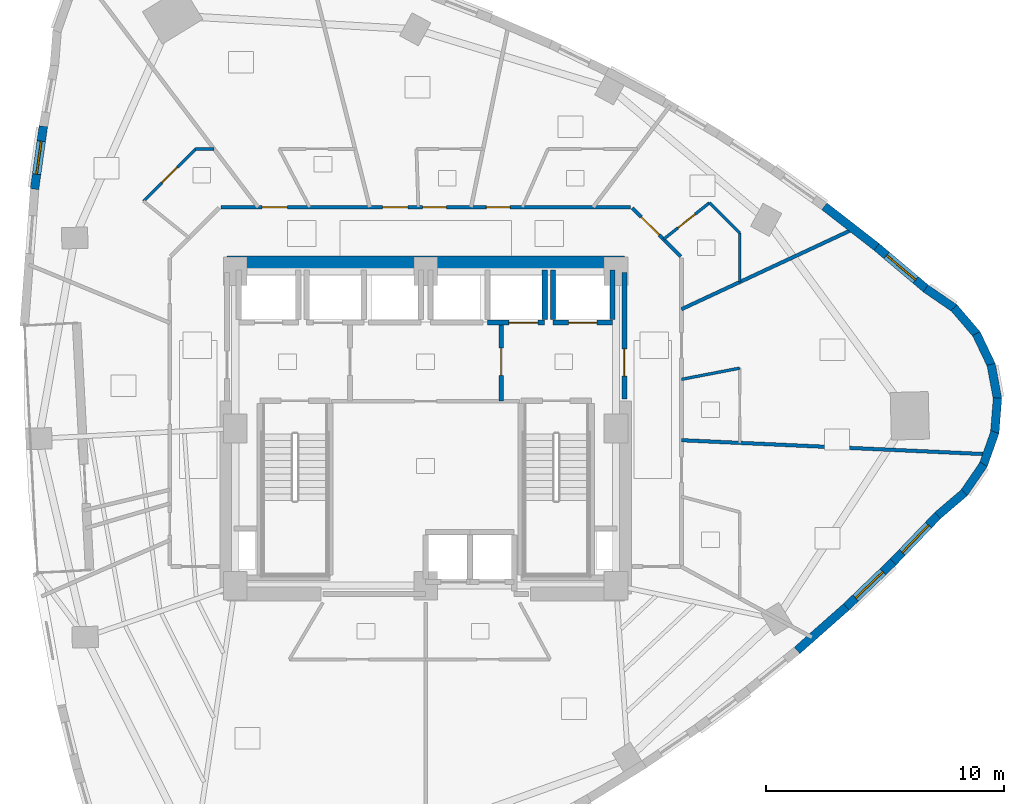
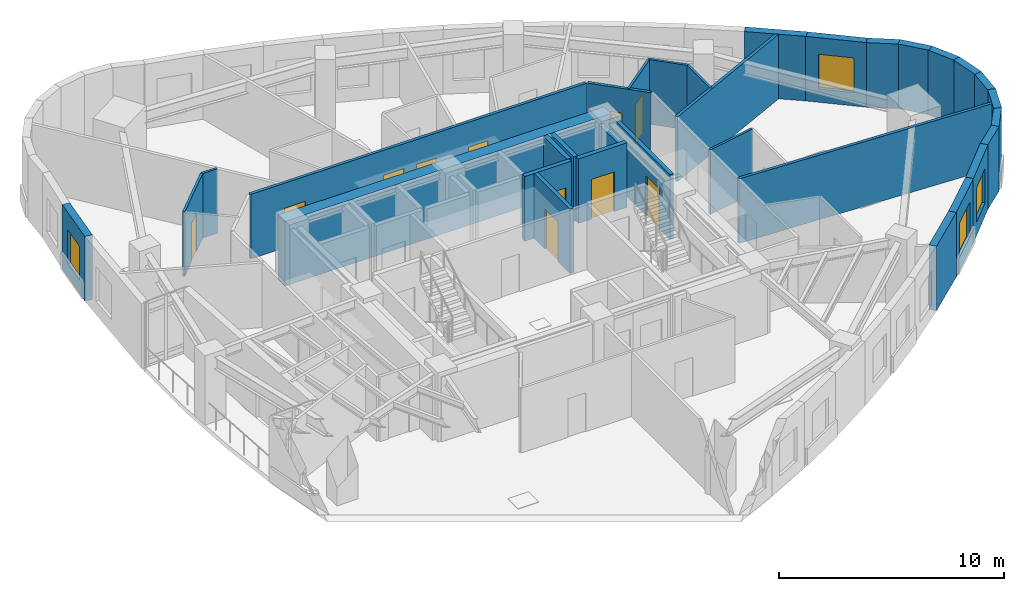
# One storey, part 7 of 12: 32 walls, 11 doors, 4 windows, 15 openings.
"""IFC4 building model written with IfcOpenShell, lengths in metres."""

from ifc_helpers import new_model, si_unit, direction, frame, frame_2d, origin, place, context, subcontext, project, spatial, rectangle, extrude, material, layer, layer_set, type_object, element, fill, save


model = new_model("IFC4")

# Units and contexts
model_context = context("Model", 3, precision=1e-05, world=origin(), true_north=direction((0.0, 1.0)))
body_context = subcontext(model_context, "Body", "Model", "MODEL_VIEW")
ifc_project = project(units=[si_unit("LENGTHUNIT", "METRE"), si_unit("AREAUNIT", "SQUARE_METRE"), si_unit("VOLUMEUNIT", "CUBIC_METRE"), si_unit("PLANEANGLEUNIT", "RADIAN"), si_unit("MASSUNIT", "GRAM", prefix="KILO")], contexts=[model_context])

# Site, building, storey
site_placement = place(None, origin())
site = spatial("IfcSite", under=ifc_project, at=site_placement, CompositionType="ELEMENT")
building_placement = place(site_placement, origin())
building = spatial("IfcBuilding", under=site, at=building_placement, Name="Ndelora Gate Hotel", CompositionType="ELEMENT")
storey_placement = place(building_placement, frame((0.0, 0.0, 131.0)))
storey = spatial("IfcBuildingStorey", under=building, at=storey_placement, Name="L32", CompositionType="ELEMENT", Elevation=131.0)

# Wall, opening, window
ifc_material_1 = material(Name="Clay Brick Masonry", Category="masonry")
ifc_layer_1 = layer(ifc_material_1, 0.360107421875)
ifc_layer_set_1 = layer_set([ifc_layer_1], Name="Clay Brick Masonry")
wall_type_1 = type_object("IfcWallType", Name="WL-BRICK-360", PredefinedType="SOLIDWALL", material=ifc_layer_set_1)
wall_1_placement = place(storey_placement, frame((-16.43603515625, 10.05908203125, 0.0), z_axis=(0.0, 0.0, 1.0), x_axis=(0.138719592598, 0.990331699296, 0.0)))
wall_1 = element("IfcWall", 1, at=wall_1_placement, inside=storey, type_object=wall_type_1, Name="L32 Tower Brick Pier-and-Spandrel Wall TWR-10", PredefinedType="SOLIDWALL", context=body_context, shape_type="SweptSolid", body=[
    extrude(rectangle(XDim=2.669921875, YDim=0.360107421875, at=frame_2d((1.3349609375, 0.0))), origin(), (0.0, 0.0, 1.0), 3.5),
])
opening_1_placement = place(wall_1_placement, frame((0.635009765625, 0.0, 0.719970703125)))
opening_1 = element("IfcOpeningElement", 2, at=opening_1_placement, cuts=wall_1, Name="Opening W02", PredefinedType="OPENING", context=body_context, shape_type="SweptSolid", body=[
    extrude(rectangle(XDim=1.39990234375, YDim=1.840087890625, at=frame_2d((0.699951171875, 0.919921875))), frame((0.0, 0.18994140625, 0.0), z_axis=(0.0, -1.0, 0.0), x_axis=(1.0, 0.0, 0.0)), (0.0, 0.0, 1.0), 0.380126953125),
])
ifc_material_2 = material(Name="Insulated Low-E Double Glazing in Bronze Aluminium Frame", Category="aluminium")
window_type_1 = type_object("IfcWindowType", Name="WN-DEEP-1400", PartitioningType="SINGLE_PANEL", PredefinedType="WINDOW", material=ifc_material_2)
window_1_placement = place(opening_1_placement, origin())
window_1 = element("IfcWindow", 3, at=window_1_placement, inside=storey, type_object=window_type_1, Name="L32 Deep-Set Brick-Pier Window W02", OverallHeight=1.840087890625, OverallWidth=1.39990234375, PartitioningType="SINGLE_PANEL", PredefinedType="WINDOW", context=body_context, shape_type="SweptSolid", body=[
    extrude(rectangle(XDim=1.39990234375, YDim=1.840087890625, at=frame_2d((0.699951171875, 0.919921875))), frame((0.0, 0.030029296875, 0.0), z_axis=(0.0, -1.0, 0.0), x_axis=(1.0, 0.0, 0.0)), (0.0, 0.0, 1.0), 0.06005859375),
])
fill(opening_1, window_1)

# Wall
wall_2_placement = place(storey_placement, frame((17.67578125, -7.498046875, 0.0), z_axis=(0.0, 0.0, 1.0), x_axis=(-0.749310700852, -0.662218599549, 0.0)))
element("IfcWall", 4, at=wall_2_placement, inside=storey, type_object=wall_type_1, Name="L32 Tower Brick Pier-and-Spandrel Wall TWR-36", PredefinedType="SOLIDWALL", context=body_context, shape_type="SweptSolid", body=[
    extrude(rectangle(XDim=2.75830078125, YDim=0.360107421875, at=frame_2d((1.379150390625, 0.0))), origin(), (0.0, 0.0, 1.0), 3.5),
])

# Wall, opening, window
wall_3_placement = place(storey_placement, frame((19.642822265625, -5.6083984375, 0.0), z_axis=(0.0, 0.0, 1.0), x_axis=(-0.721375025509, -0.692544635797, 0.0)))
wall_3 = element("IfcWall", 5, at=wall_3_placement, inside=storey, type_object=wall_type_1, Name="L32 Tower Brick Pier-and-Spandrel Wall TWR-37", PredefinedType="SOLIDWALL", context=body_context, shape_type="SweptSolid", body=[
    extrude(rectangle(XDim=2.777587890625, YDim=0.360107421875, at=frame_2d((1.388671875, 0.0))), origin(), (0.0, 0.0, 1.0), 3.5),
])
opening_2_placement = place(wall_3_placement, frame((0.5888671875, 0.0, 0.719970703125)))
opening_2 = element("IfcOpeningElement", 6, at=opening_2_placement, cuts=wall_3, Name="Opening W03", PredefinedType="OPENING", context=body_context, shape_type="SweptSolid", body=[
    extrude(rectangle(XDim=1.60009765625, YDim=1.8798828125, at=frame_2d((0.800048828125, 0.93994140625))), frame((0.0, 0.18994140625, 0.0), z_axis=(0.0, -1.0, 0.0), x_axis=(1.0, 0.0, 0.0)), (0.0, 0.0, 1.0), 0.380126953125),
])
window_type_2 = type_object("IfcWindowType", Name="WN-CORN-2100", PartitioningType="SINGLE_PANEL", PredefinedType="WINDOW", material=ifc_material_2)
window_2_placement = place(opening_2_placement, origin())
window_2 = element("IfcWindow", 7, at=window_2_placement, inside=storey, type_object=window_type_2, Name="L32 Deep-Set Brick-Pier Window W03", OverallHeight=1.8798828125, OverallWidth=1.60009765625, PartitioningType="SINGLE_PANEL", PredefinedType="WINDOW", context=body_context, shape_type="SweptSolid", body=[
    extrude(rectangle(XDim=1.60009765625, YDim=1.8798828125, at=frame_2d((0.800048828125, 0.93994140625))), frame((0.0, 0.030029296875, 0.0), z_axis=(0.0, -1.0, 0.0), x_axis=(1.0, 0.0, 0.0)), (0.0, 0.0, 1.0), 0.06005859375),
])
fill(opening_2, window_2)

wall_4_placement = place(storey_placement, frame((21.547607421875, -3.623291015625, 0.0), z_axis=(0.0, 0.0, 1.0), x_axis=(-0.692624348053, -0.72129849056, 0.0)))
wall_4 = element("IfcWall", 8, at=wall_4_placement, inside=storey, type_object=wall_type_1, Name="L32 Tower Brick Pier-and-Spandrel Wall TWR-38", PredefinedType="SOLIDWALL", context=body_context, shape_type="SweptSolid", body=[
    extrude(rectangle(XDim=2.80126953125, YDim=0.360107421875, at=frame_2d((1.400634765625, 0.0))), origin(), (0.0, 0.0, 1.0), 3.5),
])
opening_3_placement = place(wall_4_placement, frame((0.6005859375, 0.0, 0.719970703125)))
opening_3 = element("IfcOpeningElement", 9, at=opening_3_placement, cuts=wall_4, Name="Opening W01", PredefinedType="OPENING", context=body_context, shape_type="SweptSolid", body=[
    extrude(rectangle(XDim=1.60009765625, YDim=1.8798828125, at=frame_2d((0.800048828125, 0.93994140625))), frame((0.0, 0.18994140625, 0.0), z_axis=(0.0, -1.0, 0.0), x_axis=(1.0, 0.0, 0.0)), (0.0, 0.0, 1.0), 0.380126953125),
])
window_type_3 = type_object("IfcWindowType", Name="WN-DEEP-1600", PartitioningType="SINGLE_PANEL", PredefinedType="WINDOW", material=ifc_material_2)
window_3_placement = place(opening_3_placement, origin())
window_3 = element("IfcWindow", 10, at=window_3_placement, inside=storey, type_object=window_type_3, Name="L32 Deep-Set Brick-Pier Window W01", OverallHeight=1.8798828125, OverallWidth=1.60009765625, PartitioningType="SINGLE_PANEL", PredefinedType="WINDOW", context=body_context, shape_type="SweptSolid", body=[
    extrude(rectangle(XDim=1.60009765625, YDim=1.8798828125, at=frame_2d((0.800048828125, 0.93994140625))), frame((0.0, 0.030029296875, 0.0), z_axis=(0.0, -1.0, 0.0), x_axis=(1.0, 0.0, 0.0)), (0.0, 0.0, 1.0), 0.06005859375),
])
fill(opening_3, window_3)

# Walls
wall_5_placement = place(storey_placement, frame((22.64111328125, -2.692626953125, 0.0), z_axis=(0.0, 0.0, 1.0), x_axis=(-0.760392276745, -0.649464075578, 0.0)))
element("IfcWall", 11, at=wall_5_placement, inside=storey, type_object=wall_type_1, Name="L32 Tower Brick Pier-and-Spandrel Wall TWR-39", PredefinedType="SOLIDWALL", context=body_context, shape_type="SweptSolid", body=[
    extrude(rectangle(XDim=1.485595703125, YDim=0.360107421875, at=frame_2d((0.74267578125, 0.0))), origin(), (0.0, 0.0, 1.0), 3.5),
])
for number, where, z_axis, x_axis, name in (
    (12, (23.44970703125, -1.5048828125, 0.0), (0.0, 0.0, 1.0), (-0.56647304132, -0.824080271247, 0.0), "L32 Tower Brick Pier-and-Spandrel Wall TWR-40"),
    (13, (23.923095703125, -0.1484375, 0.0), (0.0, 0.0, 1.0), (-0.333816731602, -0.942637995045, 0.0), "L32 Tower Brick Pier-and-Spandrel Wall TWR-41"),
):
    element("IfcWall", number, at=place(storey_placement, frame(where, z_axis=z_axis, x_axis=x_axis)), inside=storey, type_object=wall_type_1, Name=name, PredefinedType="SOLIDWALL", context=body_context, shape_type="SweptSolid", body=[
        extrude(rectangle(XDim=1.486083984375, YDim=0.360107421875, at=frame_2d((0.7431640625, 0.0))), origin(), (0.0, 0.0, 1.0), 3.5),
    ])
for number, where, z_axis, x_axis, name in (
    (14, (24.029296875, 1.2841796875, 0.0), (0.0, 0.0, 1.0), (-0.078543482647, -0.996910688745, 0.0), "L32 Tower Brick Pier-and-Spandrel Wall TWR-42"),
    (15, (23.760986328125, 2.695556640625, 0.0), (0.0, 0.0, 1.0), (0.18238343996, -0.98322748173, 0.0), "L32 Tower Brick Pier-and-Spandrel Wall TWR-43"),
    (16, (23.13671875, 3.989501953125, 0.0), (0.0, 0.0, 1.0), (0.430641383823, -0.902523129088, 0.0), "L32 Tower Brick Pier-and-Spandrel Wall TWR-44"),
):
    element("IfcWall", number, at=place(storey_placement, frame(where, z_axis=z_axis, x_axis=x_axis)), inside=storey, type_object=wall_type_1, Name=name, PredefinedType="SOLIDWALL", context=body_context, shape_type="SweptSolid", body=[
        extrude(rectangle(XDim=1.48583984375, YDim=0.360107421875, at=frame_2d((0.742919921875, 0.0))), origin(), (0.0, 0.0, 1.0), 3.5),
    ])
for number, where, z_axis, x_axis, name in (
    (17, (22.198974609375, 5.07763671875, 0.0), (0.0, 0.0, 1.0), (0.649464075578, -0.760392276745, 0.0), "L32 Tower Brick Pier-and-Spandrel Wall TWR-45"),
    (18, (21.01123046875, 5.885986328125, 0.0), (0.0, 0.0, 1.0), (0.824104250472, -0.566438155808, 0.0), "L32 Tower Brick Pier-and-Spandrel Wall TWR-46"),
):
    element("IfcWall", number, at=place(storey_placement, frame(where, z_axis=z_axis, x_axis=x_axis)), inside=storey, type_object=wall_type_1, Name=name, PredefinedType="SOLIDWALL", context=body_context, shape_type="SweptSolid", body=[
        extrude(rectangle(XDim=1.485595703125, YDim=0.360107421875, at=frame_2d((0.74267578125, 0.0))), origin(), (0.0, 0.0, 1.0), 3.5),
    ])

# Wall, opening, window
wall_6_placement = place(storey_placement, frame((18.91015625, 7.662353515625, 0.0), z_axis=(0.0, 0.0, 1.0), x_axis=(0.764205561234, -0.644972759253, 0.0)))
wall_6 = element("IfcWall", 19, at=wall_6_placement, inside=storey, type_object=wall_type_1, Name="L32 Tower Brick Pier-and-Spandrel Wall TWR-47", PredefinedType="SOLIDWALL", context=body_context, shape_type="SweptSolid", body=[
    extrude(rectangle(XDim=2.801025390625, YDim=0.360107421875, at=frame_2d((1.400390625, 0.0))), origin(), (0.0, 0.0, 1.0), 3.5),
])
opening_4_placement = place(wall_6_placement, frame((0.6005859375, 0.0, 0.719970703125)))
opening_4 = element("IfcOpeningElement", 20, at=opening_4_placement, cuts=wall_6, Name="Opening W01", PredefinedType="OPENING", context=body_context, shape_type="SweptSolid", body=[
    extrude(rectangle(XDim=1.60009765625, YDim=1.8798828125, at=frame_2d((0.800048828125, 0.93994140625))), frame((0.0, 0.18994140625, 0.0), z_axis=(0.0, -1.0, 0.0), x_axis=(1.0, 0.0, 0.0)), (0.0, 0.0, 1.0), 0.380126953125),
])
window_4_placement = place(opening_4_placement, origin())
window_4 = element("IfcWindow", 21, at=window_4_placement, inside=storey, type_object=window_type_3, Name="L32 Deep-Set Brick-Pier Window W01", OverallHeight=1.8798828125, OverallWidth=1.60009765625, PartitioningType="SINGLE_PANEL", PredefinedType="WINDOW", context=body_context, shape_type="SweptSolid", body=[
    extrude(rectangle(XDim=1.60009765625, YDim=1.8798828125, at=frame_2d((0.800048828125, 0.93994140625))), frame((0.0, 0.030029296875, 0.0), z_axis=(0.0, -1.0, 0.0), x_axis=(1.0, 0.0, 0.0)), (0.0, 0.0, 1.0), 0.06005859375),
])
fill(opening_4, window_4)

# Walls
wall_7_placement = place(storey_placement, frame((16.75537109375, 9.33447265625, 0.0), z_axis=(0.0, 0.0, 1.0), x_axis=(0.789792196605, -0.61337450728, 0.0)))
element("IfcWall", 22, at=wall_7_placement, inside=storey, type_object=wall_type_1, Name="L32 Tower Brick Pier-and-Spandrel Wall TWR-48", PredefinedType="SOLIDWALL", context=body_context, shape_type="SweptSolid", body=[
    extrude(rectangle(XDim=2.77734375, YDim=0.360107421875, at=frame_2d((1.388671875, 0.0))), origin(), (0.0, 0.0, 1.0), 3.5),
])
ifc_material_3 = material(Name="Concrete C60/75", Category="concrete")
ifc_layer_2 = layer(ifc_material_3, 0.60009765625)
ifc_layer_set_2 = layer_set([ifc_layer_2], Name="Concrete C60/75")
wall_type_2 = type_object("IfcWallType", Name="WL-CORE-600", PredefinedType="SHEAR", material=ifc_layer_set_2)
wall_8_placement = place(storey_placement, frame((-8.35009765625, 6.949951171875, 0.0), z_axis=(0.0, 0.0, 1.0), x_axis=(1.0, 0.0, 0.0)))
element("IfcWall", 23, at=wall_8_placement, inside=storey, type_object=wall_type_2, Name="L32 Core Shear Wall N", PredefinedType="SHEAR", context=body_context, shape_type="SweptSolid", body=[
    extrude(rectangle(XDim=16.7001953125, YDim=0.60009765625, at=frame_2d((8.35009765625, 0.0))), origin(), (0.0, 0.0, 1.0), 3.5),
])

# Wall, opening, door
ifc_material_4 = material(Name="Concrete C40/50", Category="concrete")
ifc_layer_3 = layer(ifc_material_4, 0.199951171875)
ifc_layer_set_3 = layer_set([ifc_layer_3], Name="Concrete C40/50")
wall_type_3 = type_object("IfcWallType", Name="WL-FIRE-200", PredefinedType="PARTITIONING", material=ifc_layer_set_3)
wall_9_placement = place(storey_placement, frame((3.179931640625, 1.14990234375, 0.0), z_axis=(0.0, 0.0, 1.0), x_axis=(0.0, 1.0, 0.0)))
wall_9 = element("IfcWall", 24, at=wall_9_placement, inside=storey, type_object=wall_type_3, Name="L32 Interior Wall IW-2", PredefinedType="PARTITIONING", context=body_context, shape_type="SweptSolid", body=[
    extrude(rectangle(XDim=3.300048828125, YDim=0.199951171875, at=frame_2d((1.64990234375, 0.0))), origin(), (0.0, 0.0, 1.0), 3.5),
])
opening_5_placement = place(wall_9_placement, frame((1.080078125, 0.0, 0.0)))
opening_5 = element("IfcOpeningElement", 25, at=opening_5_placement, cuts=wall_9, Name="Opening FD1", PredefinedType="OPENING", context=body_context, shape_type="SweptSolid", body=[
    extrude(rectangle(XDim=1.14990234375, YDim=2.14990234375, at=frame_2d((0.574951171875, 1.074951171875))), frame((0.0, 0.10986328125, 0.0), z_axis=(0.0, -1.0, 0.0), x_axis=(1.0, 0.0, 0.0)), (0.0, 0.0, 1.0), 0.219970703125),
])
ifc_material_5 = material(Name="Fire-Rated Timber-Veneer Steel Core", Category="steel")
door_type_1 = type_object("IfcDoorType", Name="DR-FD60", OperationType="SINGLE_SWING_LEFT", PredefinedType="DOOR", material=ifc_material_5)
door_1_placement = place(opening_5_placement, origin())
door_1 = element("IfcDoor", 26, at=door_1_placement, inside=storey, type_object=door_type_1, Name="L32 Firefighting Lobby East Door", OperationType="SINGLE_SWING_LEFT", OverallHeight=2.14990234375, OverallWidth=1.14990234375, PredefinedType="DOOR", context=body_context, shape_type="SweptSolid", body=[
    extrude(rectangle(XDim=1.14990234375, YDim=2.14990234375, at=frame_2d((0.574951171875, 1.074951171875))), frame((0.0, 0.02490234375, 0.0), z_axis=(0.0, -1.0, 0.0), x_axis=(1.0, 0.0, 0.0)), (0.0, 0.0, 1.0), 0.050048828125),
])
fill(opening_5, door_1)

wall_10_placement = place(storey_placement, frame((8.35009765625, 1.25, 0.0), z_axis=(0.0, 0.0, 1.0), x_axis=(0.0, 1.0, 0.0)))
wall_10 = element("IfcWall", 27, at=wall_10_placement, inside=storey, type_object=wall_type_3, Name="L32 Interior Wall IW-2", PredefinedType="PARTITIONING", context=body_context, shape_type="SweptSolid", body=[
    extrude(rectangle(XDim=5.300048828125, YDim=0.199951171875, at=frame_2d((2.64990234375, 0.0))), origin(), (0.0, 0.0, 1.0), 3.5),
])
opening_6_placement = place(wall_10_placement, frame((0.949951171875, 0.0, 0.0)))
opening_6 = element("IfcOpeningElement", 28, at=opening_6_placement, cuts=wall_10, Name="Opening FD1", PredefinedType="OPENING", context=body_context, shape_type="SweptSolid", body=[
    extrude(rectangle(XDim=1.14990234375, YDim=2.14990234375, at=frame_2d((0.574951171875, 1.074951171875))), frame((0.0, 0.10986328125, 0.0), z_axis=(0.0, -1.0, 0.0), x_axis=(1.0, 0.0, 0.0)), (0.0, 0.0, 1.0), 0.219970703125),
])
door_2_placement = place(opening_6_placement, origin())
door_2 = element("IfcDoor", 29, at=door_2_placement, inside=storey, type_object=door_type_1, Name="L32 Firefighting Lobby East Corridor Door", OperationType="SINGLE_SWING_RIGHT", OverallHeight=2.14990234375, OverallWidth=1.14990234375, PredefinedType="DOOR", context=body_context, shape_type="SweptSolid", body=[
    extrude(rectangle(XDim=1.14990234375, YDim=2.14990234375, at=frame_2d((0.574951171875, 1.074951171875))), frame((0.0, 0.02490234375, 0.0), z_axis=(0.0, -1.0, 0.0), x_axis=(1.0, 0.0, 0.0)), (0.0, 0.0, 1.0), 0.050048828125),
])
fill(opening_6, door_2)

ifc_material_6 = material(Name="Fire-Rated Gypsum Stud Partition", Category="gypsum")
ifc_layer_4 = layer(ifc_material_6, 0.14990234375)
ifc_layer_set_4 = layer_set([ifc_layer_4], Name="Fire-Rated Gypsum Stud Partition")
wall_type_4 = type_object("IfcWallType", Name="WL-PART-150", PredefinedType="PARTITIONING", material=ifc_layer_set_4)
wall_11_placement = place(storey_placement, frame((8.67822265625, 9.271728515625, 0.0), z_axis=(0.0, 0.0, 1.0), x_axis=(0.707106781187, -0.707106781187, 0.0)))
wall_11 = element("IfcWall", 30, at=wall_11_placement, inside=storey, type_object=wall_type_4, Name="L32 Interior Wall IW-5", PredefinedType="PARTITIONING", context=body_context, shape_type="SweptSolid", body=[
    extrude(rectangle(XDim=2.889892578125, YDim=0.14990234375, at=frame_2d((1.44482421875, 0.0))), origin(), (0.0, 0.0, 1.0), 3.5),
])
opening_7_placement = place(wall_11_placement, frame((0.543212890625, 0.0, 0.0)))
opening_7 = element("IfcOpeningElement", 31, at=opening_7_placement, cuts=wall_11, Name="Opening D07", PredefinedType="OPENING", context=body_context, shape_type="SweptSolid", body=[
    extrude(rectangle(XDim=1.06005859375, YDim=2.14990234375, at=frame_2d((0.530029296875, 1.074951171875))), frame((0.0, 0.0849609375, 0.0), z_axis=(0.0, -1.0, 0.0), x_axis=(1.0, 0.0, 0.0)), (0.0, 0.0, 1.0), 0.169921875),
])
ifc_material_7 = material(Name="Diplomatic Suite Acoustic Entrance Door", Category="wood")
door_type_2 = type_object("IfcDoorType", Name="DR-SUITE-1060", OperationType="SINGLE_SWING_LEFT", PredefinedType="DOOR", material=ifc_material_7)
door_3_placement = place(opening_7_placement, origin())
door_3 = element("IfcDoor", 32, at=door_3_placement, inside=storey, type_object=door_type_2, Name="L32 South Club Suite 3505 Entrance Door", OperationType="SINGLE_SWING_RIGHT", OverallHeight=2.14990234375, OverallWidth=1.06005859375, PredefinedType="DOOR", context=body_context, shape_type="SweptSolid", body=[
    extrude(rectangle(XDim=1.06005859375, YDim=2.14990234375, at=frame_2d((0.530029296875, 1.074951171875))), frame((0.0, 0.02490234375, 0.0), z_axis=(0.0, -1.0, 0.0), x_axis=(1.0, 0.0, 0.0)), (0.0, 0.0, 1.0), 0.050048828125),
])
fill(opening_7, door_3)

# Wall, openings, doors
wall_12_placement = place(storey_placement, frame((-8.610107421875, 9.300048828125, 0.0), z_axis=(0.0, 0.0, 1.0), x_axis=(1.0, 0.0, 0.0)))
wall_12 = element("IfcWall", 33, at=wall_12_placement, inside=storey, type_object=wall_type_4, Name="L32 Interior Wall IW-5", PredefinedType="PARTITIONING", context=body_context, shape_type="SweptSolid", body=[
    extrude(rectangle(XDim=17.22021484375, YDim=0.14990234375, at=frame_2d((8.610107421875, 0.0))), origin(), (0.0, 0.0, 1.0), 3.5),
])
opening_8_placement = place(wall_12_placement, frame((11.156005859375, 0.0, 0.0)))
opening_8 = element("IfcOpeningElement", 34, at=opening_8_placement, cuts=wall_12, Name="Opening D01", PredefinedType="OPENING", context=body_context, shape_type="SweptSolid", body=[
    extrude(rectangle(XDim=1.0, YDim=2.14990234375, at=frame_2d((0.5, 1.074951171875))), frame((0.0, 0.0849609375, 0.0), z_axis=(0.0, -1.0, 0.0), x_axis=(1.0, 0.0, 0.0)), (0.0, 0.0, 1.0), 0.169921875),
])
opening_9_placement = place(wall_12_placement, frame((6.799072265625, 0.0, 0.0)))
opening_9 = element("IfcOpeningElement", 35, at=opening_9_placement, cuts=wall_12, Name="Opening D07", PredefinedType="OPENING", context=body_context, shape_type="SweptSolid", body=[
    extrude(rectangle(XDim=1.06005859375, YDim=2.14990234375, at=frame_2d((0.530029296875, 1.074951171875))), frame((0.0, 0.0849609375, 0.0), z_axis=(0.0, -1.0, 0.0), x_axis=(1.0, 0.0, 0.0)), (0.0, 0.0, 1.0), 0.169921875),
])
opening_10_placement = place(wall_12_placement, frame((1.7373046875, 0.0, 0.0)))
opening_10 = element("IfcOpeningElement", 36, at=opening_10_placement, cuts=wall_12, Name="Opening D07", PredefinedType="OPENING", context=body_context, shape_type="SweptSolid", body=[
    extrude(rectangle(XDim=1.06005859375, YDim=2.14990234375, at=frame_2d((0.530029296875, 1.074951171875))), frame((0.0, 0.0849609375, 0.0), z_axis=(0.0, -1.0, 0.0), x_axis=(1.0, 0.0, 0.0)), (0.0, 0.0, 1.0), 0.169921875),
])
opening_11_placement = place(wall_12_placement, frame((8.47998046875, 0.0, 0.0)))
opening_11 = element("IfcOpeningElement", 37, at=opening_11_placement, cuts=wall_12, Name="Opening D01", PredefinedType="OPENING", context=body_context, shape_type="SweptSolid", body=[
    extrude(rectangle(XDim=1.0, YDim=2.14990234375, at=frame_2d((0.5, 1.074951171875))), frame((0.0, 0.0849609375, 0.0), z_axis=(0.0, -1.0, 0.0), x_axis=(1.0, 0.0, 0.0)), (0.0, 0.0, 1.0), 0.169921875),
])
ifc_material_8 = material(Name="Acoustic Hardwood Guest Entrance Door", Category="wood")
door_type_3 = type_object("IfcDoorType", Name="DR-COR-1000", OperationType="SINGLE_SWING_LEFT", PredefinedType="DOOR", material=ifc_material_8)
door_4_placement = place(opening_8_placement, origin())
door_4 = element("IfcDoor", 38, at=door_4_placement, inside=storey, type_object=door_type_3, Name="L32 Club King Guest Room 3506 Entrance Door", OperationType="SINGLE_SWING_LEFT", OverallHeight=2.14990234375, OverallWidth=1.0, PredefinedType="DOOR", context=body_context, shape_type="SweptSolid", body=[
    extrude(rectangle(XDim=1.0, YDim=2.14990234375, at=frame_2d((0.5, 1.074951171875))), frame((0.0, 0.02490234375, 0.0), z_axis=(0.0, -1.0, 0.0), x_axis=(1.0, 0.0, 0.0)), (0.0, 0.0, 1.0), 0.050048828125),
])
fill(opening_8, door_4)
door_5_placement = place(opening_11_placement, origin())
door_5 = element("IfcDoor", 39, at=door_5_placement, inside=storey, type_object=door_type_3, Name="L32 Housekeeping and Linen Room Entrance Door", OperationType="SINGLE_SWING_LEFT", OverallHeight=2.14990234375, OverallWidth=1.0, PredefinedType="DOOR", context=body_context, shape_type="SweptSolid", body=[
    extrude(rectangle(XDim=1.0, YDim=2.14990234375, at=frame_2d((0.5, 1.074951171875))), frame((0.0, 0.02490234375, 0.0), z_axis=(0.0, -1.0, 0.0), x_axis=(1.0, 0.0, 0.0)), (0.0, 0.0, 1.0), 0.050048828125),
])
fill(opening_11, door_5)
door_6_placement = place(opening_9_placement, origin())
door_6 = element("IfcDoor", 40, at=door_6_placement, inside=storey, type_object=door_type_2, Name="L32 Corner Club Suite 3507 Entrance Door", OperationType="SINGLE_SWING_RIGHT", OverallHeight=2.14990234375, OverallWidth=1.06005859375, PredefinedType="DOOR", context=body_context, shape_type="SweptSolid", body=[
    extrude(rectangle(XDim=1.06005859375, YDim=2.14990234375, at=frame_2d((0.530029296875, 1.074951171875))), frame((0.0, 0.02490234375, 0.0), z_axis=(0.0, -1.0, 0.0), x_axis=(1.0, 0.0, 0.0)), (0.0, 0.0, 1.0), 0.050048828125),
])
fill(opening_9, door_6)
door_7_placement = place(opening_10_placement, origin())
door_7 = element("IfcDoor", 41, at=door_7_placement, inside=storey, type_object=door_type_2, Name="L32 Club Twin Junior Suite 3508 Entrance Door", OperationType="SINGLE_SWING_LEFT", OverallHeight=2.14990234375, OverallWidth=1.06005859375, PredefinedType="DOOR", context=body_context, shape_type="SweptSolid", body=[
    extrude(rectangle(XDim=1.06005859375, YDim=2.14990234375, at=frame_2d((0.530029296875, 1.074951171875))), frame((0.0, 0.02490234375, 0.0), z_axis=(0.0, -1.0, 0.0), x_axis=(1.0, 0.0, 0.0)), (0.0, 0.0, 1.0), 0.050048828125),
])
fill(opening_10, door_7)

# Walls
wall_13_placement = place(storey_placement, frame((10.75, -0.4921875, 0.0), z_axis=(0.0, 0.0, 1.0), x_axis=(0.998952227347, -0.045765133883, 0.0)))
element("IfcWall", 42, at=wall_13_placement, inside=storey, type_object=wall_type_4, Name="L32 Interior Wall IW-5", PredefinedType="PARTITIONING", context=body_context, shape_type="SweptSolid", body=[
    extrude(rectangle(XDim=12.8564453125, YDim=0.14990234375, at=frame_2d((6.42822265625, 0.0))), origin(), (0.0, 0.0, 1.0), 3.5),
])
wall_14_placement = place(storey_placement, frame((10.75, 5.01220703125, 0.0), z_axis=(0.0, 0.0, 1.0), x_axis=(0.90633944919, 0.422550355393, 0.0)))
element("IfcWall", 43, at=wall_14_placement, inside=storey, type_object=wall_type_4, Name="L32 Interior Wall IW-5", PredefinedType="PARTITIONING", context=body_context, shape_type="SweptSolid", body=[
    extrude(rectangle(XDim=7.977294921875, YDim=0.14990234375, at=frame_2d((3.98876953125, 0.0))), origin(), (0.0, 0.0, 1.0), 3.5),
])

# Wall, opening, door
ifc_layer_5 = layer(ifc_material_4, 0.219970703125)
ifc_layer_set_5 = layer_set([ifc_layer_5], Name="Concrete C40/50")
wall_type_5 = type_object("IfcWallType", Name="WL-SHAFT-220", PredefinedType="PARTITIONING", material=ifc_layer_set_5)
wall_15_placement = place(storey_placement, frame((5.35009765625, 4.449951171875, 0.0), z_axis=(0.0, 0.0, 1.0), x_axis=(1.0, 0.0, 0.0)))
wall_15 = element("IfcWall", 44, at=wall_15_placement, inside=storey, type_object=wall_type_5, Name="L32 Interior Wall IW-1", PredefinedType="PARTITIONING", context=body_context, shape_type="SweptSolid", body=[
    extrude(rectangle(XDim=2.5, YDim=0.219970703125, at=frame_2d((1.25, 0.0))), origin(), (0.0, 0.0, 1.0), 3.5),
])
opening_12_placement = place(wall_15_placement, frame((0.659912109375, 0.0, 0.0)))
opening_12 = element("IfcOpeningElement", 45, at=opening_12_placement, cuts=wall_15, Name="Opening LD5", PredefinedType="OPENING", context=body_context, shape_type="SweptSolid", body=[
    extrude(rectangle(XDim=1.179931640625, YDim=2.14990234375, at=frame_2d((0.58984375, 1.074951171875))), frame((0.0, 0.1201171875, 0.0), z_axis=(0.0, -1.0, 0.0), x_axis=(1.0, 0.0, 0.0)), (0.0, 0.0, 1.0), 0.239990234375),
])
ifc_material_9 = material(Name="Firefighting Lift Stainless Sliding Landing Door", Category="metal")
door_type_4 = type_object("IfcDoorType", Name="DR-LD5", OperationType="DOUBLE_DOOR_SLIDING", PredefinedType="DOOR", material=ifc_material_9)
door_8_placement = place(opening_12_placement, origin())
door_8 = element("IfcDoor", 46, at=door_8_placement, inside=storey, type_object=door_type_4, Name="L32 Lift Landing Sliding Door FFL2", OperationType="DOUBLE_DOOR_SLIDING", OverallHeight=2.14990234375, OverallWidth=1.179931640625, PredefinedType="DOOR", context=body_context, shape_type="SweptSolid", body=[
    extrude(rectangle(XDim=1.179931640625, YDim=2.14990234375, at=frame_2d((0.58984375, 1.074951171875))), frame((0.0, 0.02490234375, 0.0), z_axis=(0.0, -1.0, 0.0), x_axis=(1.0, 0.0, 0.0)), (0.0, 0.0, 1.0), 0.050048828125),
])
fill(opening_12, door_8)

# Walls
wall_16_placement = place(storey_placement, frame((5.35009765625, 4.570068359375, 0.0), z_axis=(0.0, 0.0, 1.0), x_axis=(0.0, 1.0, 0.0)))
element("IfcWall", 47, at=wall_16_placement, inside=storey, type_object=wall_type_5, Name="L32 Interior Wall IW-1", PredefinedType="PARTITIONING", context=body_context, shape_type="SweptSolid", body=[
    extrude(rectangle(XDim=2.079833984375, YDim=0.219970703125, at=frame_2d((1.0400390625, 0.0))), origin(), (0.0, 0.0, 1.0), 3.5),
])
wall_17_placement = place(storey_placement, frame((7.85009765625, 4.570068359375, 0.0), z_axis=(0.0, 0.0, 1.0), x_axis=(0.0, 1.0, 0.0)))
element("IfcWall", 48, at=wall_17_placement, inside=storey, type_object=wall_type_5, Name="L32 Interior Wall IW-1", PredefinedType="PARTITIONING", context=body_context, shape_type="SweptSolid", body=[
    extrude(rectangle(XDim=2.079833984375, YDim=0.219970703125, at=frame_2d((1.0400390625, 0.0))), origin(), (0.0, 0.0, 1.0), 3.1201171875),
])

# Wall, opening, door
wall_18_placement = place(storey_placement, frame((2.60009765625, 4.449951171875, 0.0), z_axis=(0.0, 0.0, 1.0), x_axis=(1.0, 0.0, 0.0)))
wall_18 = element("IfcWall", 49, at=wall_18_placement, inside=storey, type_object=wall_type_5, Name="L32 Interior Wall IW-1", PredefinedType="PARTITIONING", context=body_context, shape_type="SweptSolid", body=[
    extrude(rectangle(XDim=2.39990234375, YDim=0.219970703125, at=frame_2d((1.199951171875, 0.0))), origin(), (0.0, 0.0, 1.0), 3.5),
])
opening_13_placement = place(wall_18_placement, frame((0.89990234375, 0.0, 0.0)))
opening_13 = element("IfcOpeningElement", 50, at=opening_13_placement, cuts=wall_18, Name="Opening LD6", PredefinedType="OPENING", context=body_context, shape_type="SweptSolid", body=[
    extrude(rectangle(XDim=1.219970703125, YDim=2.14990234375, at=frame_2d((0.60986328125, 1.074951171875))), frame((0.0, 0.1201171875, 0.0), z_axis=(0.0, -1.0, 0.0), x_axis=(1.0, 0.0, 0.0)), (0.0, 0.0, 1.0), 0.239990234375),
])
ifc_material_10 = material(Name="Heavy-Duty Service Lift Sliding Landing Door", Category="wood")
door_type_5 = type_object("IfcDoorType", Name="DR-LD6", OperationType="DOUBLE_DOOR_SLIDING", PredefinedType="DOOR", material=ifc_material_10)
door_9_placement = place(opening_13_placement, origin())
door_9 = element("IfcDoor", 51, at=door_9_placement, inside=storey, type_object=door_type_5, Name="L32 Lift Landing Sliding Door SVL2", OperationType="DOUBLE_DOOR_SLIDING", OverallHeight=2.14990234375, OverallWidth=1.219970703125, PredefinedType="DOOR", context=body_context, shape_type="SweptSolid", body=[
    extrude(rectangle(XDim=1.219970703125, YDim=2.14990234375, at=frame_2d((0.60986328125, 1.074951171875))), frame((0.0, 0.02490234375, 0.0), z_axis=(0.0, -1.0, 0.0), x_axis=(1.0, 0.0, 0.0)), (0.0, 0.0, 1.0), 0.050048828125),
])
fill(opening_13, door_9)

# Walls
wall_19_placement = place(storey_placement, frame((5.0, 4.570068359375, 0.0), z_axis=(0.0, 0.0, 1.0), x_axis=(0.0, 1.0, 0.0)))
element("IfcWall", 52, at=wall_19_placement, inside=storey, type_object=wall_type_5, Name="L32 Interior Wall IW-1", PredefinedType="PARTITIONING", context=body_context, shape_type="SweptSolid", body=[
    extrude(rectangle(XDim=2.079833984375, YDim=0.219970703125, at=frame_2d((1.0400390625, 0.0))), origin(), (0.0, 0.0, 1.0), 3.5),
])
ifc_material_11 = material(Name="Moisture-Resistant Bathroom Tile Partition", Category="gypsum")
ifc_layer_6 = layer(ifc_material_11, 0.1201171875)
ifc_layer_set_6 = layer_set([ifc_layer_6], Name="Moisture-Resistant Bathroom Tile Partition")
wall_type_6 = type_object("IfcWallType", Name="WL-WET-120", PredefinedType="PARTITIONING", material=ifc_layer_set_6)
wall_20_placement = place(storey_placement, frame((13.199951171875, 2.53662109375, 0.0), z_axis=(0.0, 0.0, 1.0), x_axis=(-0.982039238769, -0.188676796447, 0.0)))
element("IfcWall", 53, at=wall_20_placement, inside=storey, type_object=wall_type_6, Name="L32 Interior Wall IW-7", PredefinedType="PARTITIONING", context=body_context, shape_type="SweptSolid", body=[
    extrude(rectangle(XDim=2.494873046875, YDim=0.1201171875, at=frame_2d((1.24755859375, 0.0))), origin(), (0.0, 0.0, 1.0), 3.5),
])

# Wall, opening, door
wall_21_placement = place(storey_placement, frame((9.998046875, 7.951904296875, 0.0), z_axis=(0.0, 0.0, 1.0), x_axis=(0.782652575374, 0.622458790813, 0.0)))
wall_21 = element("IfcWall", 54, at=wall_21_placement, inside=storey, type_object=wall_type_6, Name="L32 Interior Wall IW-7", PredefinedType="PARTITIONING", context=body_context, shape_type="SweptSolid", body=[
    extrude(rectangle(XDim=2.4658203125, YDim=0.1201171875, at=frame_2d((1.23291015625, 0.0))), origin(), (0.0, 0.0, 1.0), 3.5),
])
opening_14_placement = place(wall_21_placement, frame((0.77294921875, 0.0, 0.0)))
opening_14 = element("IfcOpeningElement", 55, at=opening_14_placement, cuts=wall_21, Name="Opening D03", PredefinedType="OPENING", context=body_context, shape_type="SweptSolid", body=[
    extrude(rectangle(XDim=0.919921875, YDim=2.10009765625, at=frame_2d((0.4599609375, 1.050048828125))), frame((0.0, 0.070068359375, 0.0), z_axis=(0.0, -1.0, 0.0), x_axis=(1.0, 0.0, 0.0)), (0.0, 0.0, 1.0), 0.14013671875),
])
ifc_material_12 = material(Name="Moisture-Resistant Hardwood En-Suite Door", Category="wood")
door_type_6 = type_object("IfcDoorType", Name="DR-BATH-920", OperationType="SINGLE_SWING_LEFT", PredefinedType="DOOR", material=ifc_material_12)
door_10_placement = place(opening_14_placement, origin())
door_10 = element("IfcDoor", 56, at=door_10_placement, inside=storey, type_object=door_type_6, Name="L32 En-suite Bathroom 3505 Door", OperationType="SINGLE_SWING_RIGHT", OverallHeight=2.10009765625, OverallWidth=0.919921875, PredefinedType="DOOR", context=body_context, shape_type="SweptSolid", body=[
    extrude(rectangle(XDim=0.919921875, YDim=2.10009765625, at=frame_2d((0.4599609375, 1.050048828125))), frame((0.0, 0.02490234375, 0.0), z_axis=(0.0, -1.0, 0.0), x_axis=(1.0, 0.0, 0.0)), (0.0, 0.0, 1.0), 0.050048828125),
])
fill(opening_14, door_10)

# Walls
wall_22_placement = place(storey_placement, frame((11.927978515625, 9.48681640625, 0.0), z_axis=(0.0, 0.0, 1.0), x_axis=(0.707106781187, -0.707106781187, 0.0)))
element("IfcWall", 57, at=wall_22_placement, inside=storey, type_object=wall_type_6, Name="L32 Interior Wall IW-7", PredefinedType="PARTITIONING", context=body_context, shape_type="SweptSolid", body=[
    extrude(rectangle(XDim=1.798828125, YDim=0.1201171875, at=frame_2d((0.8994140625, 0.0))), origin(), (0.0, 0.0, 1.0), 3.5),
])
wall_23_placement = place(storey_placement, frame((13.199951171875, 6.154296875, 0.0), z_axis=(0.0, 0.0, 1.0), x_axis=(0.0, 1.0, 0.0)))
element("IfcWall", 58, at=wall_23_placement, inside=storey, type_object=wall_type_6, Name="L32 Interior Wall IW-7", PredefinedType="PARTITIONING", context=body_context, shape_type="SweptSolid", body=[
    extrude(rectangle(XDim=2.060546875, YDim=0.1201171875, at=frame_2d((1.0302734375, 0.0))), origin(), (0.0, 0.0, 1.0), 3.5),
])

# Wall, opening, door
wall_24_placement = place(storey_placement, frame((-11.857421875, 9.5576171875, 0.0), z_axis=(0.0, 0.0, 1.0), x_axis=(0.7071461491, 0.707067411081, 0.0)))
wall_24 = element("IfcWall", 59, at=wall_24_placement, inside=storey, type_object=wall_type_6, Name="L32 Interior Wall IW-7", PredefinedType="PARTITIONING", context=body_context, shape_type="SweptSolid", body=[
    extrude(rectangle(XDim=3.1005859375, YDim=0.1201171875, at=frame_2d((1.55029296875, 0.0))), origin(), (0.0, 0.0, 1.0), 3.5),
])
opening_15_placement = place(wall_24_placement, frame((1.09033203125, 0.0, 0.0)))
opening_15 = element("IfcOpeningElement", 60, at=opening_15_placement, cuts=wall_24, Name="Opening D03", PredefinedType="OPENING", context=body_context, shape_type="SweptSolid", body=[
    extrude(rectangle(XDim=0.919921875, YDim=2.10009765625, at=frame_2d((0.4599609375, 1.050048828125))), frame((0.0, 0.070068359375, 0.0), z_axis=(0.0, -1.0, 0.0), x_axis=(1.0, 0.0, 0.0)), (0.0, 0.0, 1.0), 0.14013671875),
])
door_11_placement = place(opening_15_placement, origin())
door_11 = element("IfcDoor", 61, at=door_11_placement, inside=storey, type_object=door_type_6, Name="L32 En-suite Bathroom 3509 Door", OperationType="SINGLE_SWING_RIGHT", OverallHeight=2.10009765625, OverallWidth=0.919921875, PredefinedType="DOOR", context=body_context, shape_type="SweptSolid", body=[
    extrude(rectangle(XDim=0.919921875, YDim=2.10009765625, at=frame_2d((0.4599609375, 1.050048828125))), frame((0.0, 0.02490234375, 0.0), z_axis=(0.0, -1.0, 0.0), x_axis=(1.0, 0.0, 0.0)), (0.0, 0.0, 1.0), 0.050048828125),
])
fill(opening_15, door_11)

# Wall
wall_25_placement = place(storey_placement, frame((-8.89501953125, 11.75, 0.0), z_axis=(0.0, 0.0, 1.0), x_axis=(-1.0, 0.0, 0.0)))
element("IfcWall", 62, at=wall_25_placement, inside=storey, type_object=wall_type_6, Name="L32 Interior Wall IW-7", PredefinedType="PARTITIONING", context=body_context, shape_type="SweptSolid", body=[
    extrude(rectangle(XDim=0.769775390625, YDim=0.1201171875, at=frame_2d((0.384765625, 0.0))), origin(), (0.0, 0.0, 1.0), 3.5),
])

save(model, "model.ifc")
